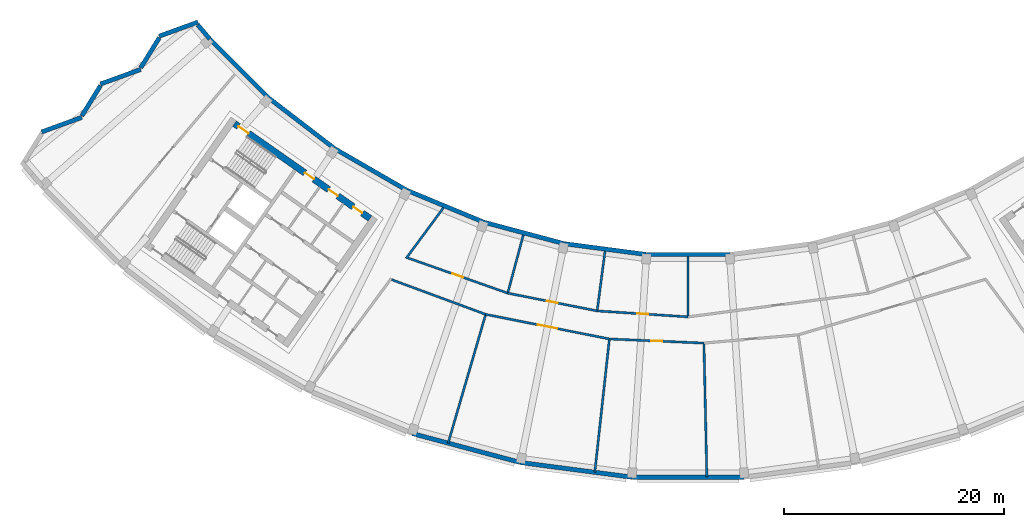
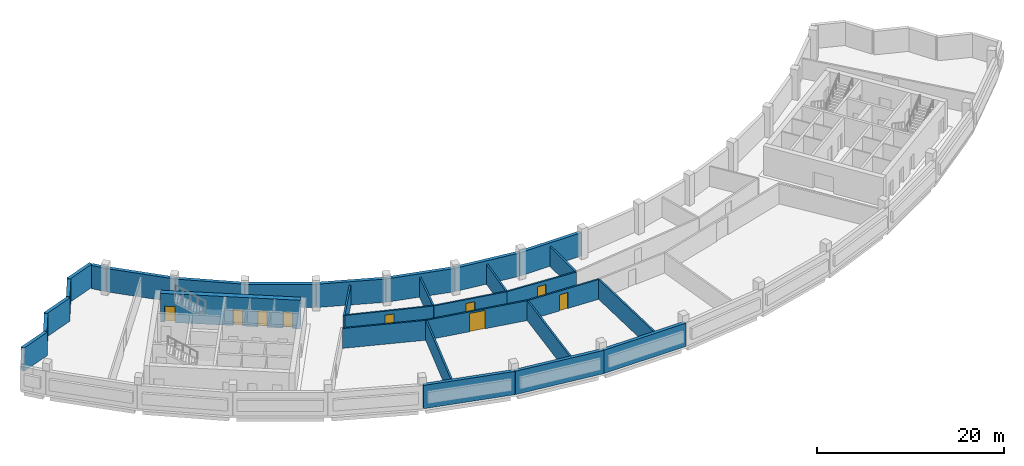
# One storey, part 4 of 11: 30 walls, 9 doors, 9 openings.
"""IFC4 building model written with IfcOpenShell, lengths in metres."""

from ifc_helpers import new_model, si_unit, direction, frame, frame_2d, origin, place, context, subcontext, project, spatial, rectangle, extrude, material, layer, layer_set, type_object, element, fill, save


model = new_model("IFC4")

# Units and contexts
model_context = context("Model", 3, precision=1e-05, world=origin(), true_north=direction((0.0, 1.0)))
body_context = subcontext(model_context, "Body", "Model", "MODEL_VIEW")
ifc_project = project(units=[si_unit("LENGTHUNIT", "METRE"), si_unit("AREAUNIT", "SQUARE_METRE"), si_unit("VOLUMEUNIT", "CUBIC_METRE"), si_unit("PLANEANGLEUNIT", "RADIAN"), si_unit("MASSUNIT", "GRAM", prefix="KILO")], contexts=[model_context])

# Site, building, storey
site_placement = place(None, origin())
site = spatial("IfcSite", under=ifc_project, at=site_placement, CompositionType="ELEMENT")
building_placement = place(site_placement, origin())
building = spatial("IfcBuilding", under=site, at=building_placement, Name="Qamariyya Broadcast Tower", CompositionType="ELEMENT")
storey_placement = place(building_placement, frame((0.0, 0.0, 294.699951171875)))
storey = spatial("IfcBuildingStorey", under=building, at=storey_placement, Name="L71", CompositionType="ELEMENT", Elevation=294.699951171875)

# Wall, openings, doors
ifc_material_1 = material(Name="Concrete C60/75", Category="concrete")
ifc_layer_1 = layer(ifc_material_1, 0.60009765625)
ifc_layer_set_1 = layer_set([ifc_layer_1], Name="Core wall 600 mm Concrete C60/75")
wall_type_1 = type_object("IfcWallType", Name="Core wall 600 mm Concrete C60/75", PredefinedType="SHEAR", material=ifc_layer_set_1)
wall_1_placement = place(storey_placement, frame((-28.940673828125, -54.447021484375, 0.0), z_axis=(0.0, 0.0, 1.0), x_axis=(-0.819153391756, 0.573574511963, 0.0)))
wall_1 = element("IfcWall", 1, at=wall_1_placement, inside=storey, type_object=wall_type_1, Name="k-W-L71-WI", PredefinedType="SHEAR", context=body_context, shape_type="SweptSolid", body=[
    extrude(rectangle(XDim=15.04541015625, YDim=0.60009765625, at=frame_2d((7.522705078125, 0.0))), origin(), (0.0, 0.0, 1.0), 3.75),
])
opening_1_placement = place(wall_1_placement, frame((0.85009765625, 0.0, 0.0)))
opening_1 = element("IfcOpeningElement", 2, at=opening_1_placement, cuts=wall_1, Name="Opening KD4-W7", PredefinedType="OPENING", context=body_context, shape_type="SweptSolid", body=[
    extrude(rectangle(XDim=1.0, YDim=2.10009765625, at=frame_2d((0.5, 1.050048828125))), frame((0.0, 0.31005859375, 0.0), z_axis=(0.0, -1.0, 0.0), x_axis=(1.0, 0.0, 0.0)), (0.0, 0.0, 1.0), 0.6201171875),
])
opening_2_placement = place(wall_1_placement, frame((3.574951171875, 0.0, 0.0)))
opening_2 = element("IfcOpeningElement", 3, at=opening_2_placement, cuts=wall_1, Name="Opening KD4-W8", PredefinedType="OPENING", context=body_context, shape_type="SweptSolid", body=[
    extrude(rectangle(XDim=1.0, YDim=2.10009765625, at=frame_2d((0.5, 1.050048828125))), frame((0.0, 0.31005859375, 0.0), z_axis=(0.0, -1.0, 0.0), x_axis=(1.0, 0.0, 0.0)), (0.0, 0.0, 1.0), 0.6201171875),
])
opening_3_placement = place(wall_1_placement, frame((6.22509765625, 0.0, 0.0)))
opening_3 = element("IfcOpeningElement", 4, at=opening_3_placement, cuts=wall_1, Name="Opening KD4-W9", PredefinedType="OPENING", context=body_context, shape_type="SweptSolid", body=[
    extrude(rectangle(XDim=1.0, YDim=2.10009765625, at=frame_2d((0.5, 1.050048828125))), frame((0.0, 0.31005859375, 0.0), z_axis=(0.0, -1.0, 0.0), x_axis=(1.0, 0.0, 0.0)), (0.0, 0.0, 1.0), 0.6201171875),
])
opening_4_placement = place(wall_1_placement, frame((13.495361328125, 0.0, 0.0)))
opening_4 = element("IfcOpeningElement", 5, at=opening_4_placement, cuts=wall_1, Name="Opening KD1-W1", PredefinedType="OPENING", context=body_context, shape_type="SweptSolid", body=[
    extrude(rectangle(XDim=1.10009765625, YDim=2.10009765625, at=frame_2d((0.550048828125, 1.050048828125))), frame((0.0, 0.31005859375, 0.0), z_axis=(0.0, -1.0, 0.0), x_axis=(1.0, 0.0, 0.0)), (0.0, 0.0, 1.0), 0.6201171875),
])
ifc_material_2 = material(Name="Steel fire-resisting door leaf", Category="steel")
door_type_1 = type_object("IfcDoorType", Name="Riser and plant door KD4", OperationType="SINGLE_SWING_LEFT", PredefinedType="DOOR", material=ifc_material_2)
door_1_placement = place(opening_1_placement, origin())
door_1 = element("IfcDoor", 6, at=door_1_placement, inside=storey, type_object=door_type_1, Name="k-W-L71-WI-D8", OperationType="SINGLE_SWING_LEFT", OverallHeight=2.10009765625, OverallWidth=1.0, PredefinedType="DOOR", context=body_context, shape_type="SweptSolid", body=[
    extrude(rectangle(XDim=1.0, YDim=2.10009765625, at=frame_2d((0.5, 1.050048828125))), frame((0.0, 0.02490234375, 0.0), z_axis=(0.0, -1.0, 0.0), x_axis=(1.0, 0.0, 0.0)), (0.0, 0.0, 1.0), 0.050048828125),
])
fill(opening_1, door_1)
door_2_placement = place(opening_2_placement, origin())
door_2 = element("IfcDoor", 7, at=door_2_placement, inside=storey, type_object=door_type_1, Name="k-W-L71-WI-D9", OperationType="SINGLE_SWING_RIGHT", OverallHeight=2.10009765625, OverallWidth=1.0, PredefinedType="DOOR", context=body_context, shape_type="SweptSolid", body=[
    extrude(rectangle(XDim=1.0, YDim=2.10009765625, at=frame_2d((0.5, 1.050048828125))), frame((0.0, 0.02490234375, 0.0), z_axis=(0.0, -1.0, 0.0), x_axis=(1.0, 0.0, 0.0)), (0.0, 0.0, 1.0), 0.050048828125),
])
fill(opening_2, door_2)
door_3_placement = place(opening_3_placement, origin())
door_3 = element("IfcDoor", 8, at=door_3_placement, inside=storey, type_object=door_type_1, Name="k-W-L71-WI-D10", OperationType="SINGLE_SWING_LEFT", OverallHeight=2.10009765625, OverallWidth=1.0, PredefinedType="DOOR", context=body_context, shape_type="SweptSolid", body=[
    extrude(rectangle(XDim=1.0, YDim=2.10009765625, at=frame_2d((0.5, 1.050048828125))), frame((0.0, 0.02490234375, 0.0), z_axis=(0.0, -1.0, 0.0), x_axis=(1.0, 0.0, 0.0)), (0.0, 0.0, 1.0), 0.050048828125),
])
fill(opening_3, door_3)
door_type_2 = type_object("IfcDoorType", Name="Stair door KD1", OperationType="SINGLE_SWING_LEFT", PredefinedType="DOOR", material=ifc_material_2)
door_4_placement = place(opening_4_placement, origin())
door_4 = element("IfcDoor", 9, at=door_4_placement, inside=storey, type_object=door_type_2, Name="k-W-L71-WI-D17", OperationType="SINGLE_SWING_RIGHT", OverallHeight=2.10009765625, OverallWidth=1.10009765625, PredefinedType="DOOR", context=body_context, shape_type="SweptSolid", body=[
    extrude(rectangle(XDim=1.10009765625, YDim=2.10009765625, at=frame_2d((0.550048828125, 1.050048828125))), frame((0.0, 0.02490234375, 0.0), z_axis=(0.0, -1.0, 0.0), x_axis=(1.0, 0.0, 0.0)), (0.0, 0.0, 1.0), 0.050048828125),
])
fill(opening_4, door_4)

# Wall
ifc_material_3 = material(Name="Masonry block wall", Category="masonry")
ifc_layer_2 = layer(ifc_material_3, 0.199951171875)
ifc_layer_set_2 = layer_set([ifc_layer_2], Name="Plant room wall 200 EI 120")
wall_type_2 = type_object("IfcWallType", Name="Plant room wall 200 EI 120", PredefinedType="PARTITIONING", material=ifc_layer_set_2)
wall_2_placement = place(storey_placement, frame((-26.963623046875, -60.01416015625, 0.0), z_axis=(0.0, 0.0, 1.0), x_axis=(0.938099554291, -0.346365740567, 0.0)))
element("IfcWall", 10, at=wall_2_placement, inside=storey, type_object=wall_type_2, Name="Partition L71-003", PredefinedType="PARTITIONING", context=body_context, shape_type="SweptSolid", body=[
    extrude(rectangle(XDim=9.11328125, YDim=0.199951171875, at=frame_2d((4.556640625, 0.0))), origin(), (0.0, 0.0, 1.0), 2.60009765625),
])

# Wall, opening, door
wall_3_placement = place(storey_placement, frame((-25.50390625, -58.035888671875, 0.0), z_axis=(0.0, 0.0, 1.0), x_axis=(0.943186956549, -0.332262494116, 0.0)))
wall_3 = element("IfcWall", 11, at=wall_3_placement, inside=storey, type_object=wall_type_2, Name="Partition L71-004", PredefinedType="PARTITIONING", context=body_context, shape_type="SweptSolid", body=[
    extrude(rectangle(XDim=9.642578125, YDim=0.199951171875, at=frame_2d((4.8212890625, 0.0))), origin(), (0.0, 0.0, 1.0), 2.60009765625),
])
opening_5_placement = place(wall_3_placement, frame((4.3212890625, 0.0, 0.0)))
opening_5 = element("IfcOpeningElement", 12, at=opening_5_placement, cuts=wall_3, Name="Opening L71-D06", PredefinedType="OPENING", context=body_context, shape_type="SweptSolid", body=[
    extrude(rectangle(XDim=1.0, YDim=2.10009765625, at=frame_2d((0.5, 1.050048828125))), frame((0.0, 0.10986328125, 0.0), z_axis=(0.0, -1.0, 0.0), x_axis=(1.0, 0.0, 0.0)), (0.0, 0.0, 1.0), 0.219970703125),
])
ifc_material_4 = material(Name="Insulated metal door leaf")
door_type_3 = type_object("IfcDoorType", Name="Plant door 1000 x 2100 FD120", OperationType="NOTDEFINED", PredefinedType="DOOR", material=ifc_material_4)
door_5_placement = place(opening_5_placement, origin())
door_5 = element("IfcDoor", 13, at=door_5_placement, inside=storey, type_object=door_type_3, Name="Door L71-D06", OperationType="SINGLE_SWING_RIGHT", OverallHeight=2.10009765625, OverallWidth=1.0, PredefinedType="DOOR", context=body_context, shape_type="SweptSolid", body=[
    extrude(rectangle(XDim=1.0, YDim=2.10009765625, at=frame_2d((0.5, 1.050048828125))), frame((0.0, 0.02490234375, 0.0), z_axis=(0.0, -1.0, 0.0), x_axis=(1.0, 0.0, 0.0)), (0.0, 0.0, 1.0), 0.050048828125),
])
fill(opening_5, door_5)

# Walls
wall_4_placement = place(storey_placement, frame((-22.251953125, -53.469482421875, 0.0), z_axis=(0.0, 0.0, 1.0), x_axis=(-0.593885763016, -0.804549377283, 0.0)))
element("IfcWall", 14, at=wall_4_placement, inside=storey, type_object=wall_type_2, Name="Partition L71-005", PredefinedType="PARTITIONING", context=body_context, shape_type="SweptSolid", body=[
    extrude(rectangle(XDim=5.734375, YDim=0.199951171875, at=frame_2d((2.8671875, 0.0))), origin(), (0.0, 0.0, 1.0), 2.60009765625),
])
wall_5_placement = place(storey_placement, frame((-21.8291015625, -74.884033203125, 0.0), z_axis=(0.0, 0.0, 1.0), x_axis=(0.279876038728, 0.960036146687, 0.0)))
element("IfcWall", 15, at=wall_5_placement, inside=storey, type_object=wall_type_2, Name="Partition L71-006", PredefinedType="PARTITIONING", context=body_context, shape_type="SweptSolid", body=[
    extrude(rectangle(XDim=12.100830078125, YDim=0.199951171875, at=frame_2d((6.05029296875, 0.0))), origin(), (0.0, 0.0, 1.0), 2.60009765625),
])

# Wall, opening, door
wall_6_placement = place(storey_placement, frame((-7.16162109375, -65.4091796875, 0.0), z_axis=(0.0, 0.0, 1.0), x_axis=(-0.980782303344, 0.195105288106, 0.0)))
wall_6 = element("IfcWall", 16, at=wall_6_placement, inside=storey, type_object=wall_type_2, Name="Partition L71-007", PredefinedType="PARTITIONING", context=body_context, shape_type="SweptSolid", body=[
    extrude(rectangle(XDim=11.473388671875, YDim=0.199951171875, at=frame_2d((5.73681640625, 0.0))), origin(), (0.0, 0.0, 1.0), 2.60009765625),
])
opening_6_placement = place(wall_6_placement, frame((4.836669921875, 0.0, 0.0)))
opening_6 = element("IfcOpeningElement", 17, at=opening_6_placement, cuts=wall_6, Name="Opening L71-D02", PredefinedType="OPENING", context=body_context, shape_type="SweptSolid", body=[
    extrude(rectangle(XDim=1.800048828125, YDim=2.39990234375, at=frame_2d((0.89990234375, 1.199951171875))), frame((0.0, 0.10986328125, 0.0), z_axis=(0.0, -1.0, 0.0), x_axis=(1.0, 0.0, 0.0)), (0.0, 0.0, 1.0), 0.219970703125),
])
door_type_4 = type_object("IfcDoorType", Name="Plant double door 1800 x 2400 FD120", OperationType="NOTDEFINED", PredefinedType="DOOR", material=ifc_material_4)
door_6_placement = place(opening_6_placement, origin())
door_6 = element("IfcDoor", 18, at=door_6_placement, inside=storey, type_object=door_type_4, Name="Door L71-D02", OperationType="DOUBLE_DOOR_SINGLE_SWING", OverallHeight=2.39990234375, OverallWidth=1.800048828125, PredefinedType="DOOR", context=body_context, shape_type="SweptSolid", body=[
    extrude(rectangle(XDim=1.800048828125, YDim=2.39990234375, at=frame_2d((0.89990234375, 1.199951171875))), frame((0.0, 0.02490234375, 0.0), z_axis=(0.0, -1.0, 0.0), x_axis=(1.0, 0.0, 0.0)), (0.0, 0.0, 1.0), 0.050048828125),
])
fill(opening_6, door_6)

wall_7_placement = place(storey_placement, frame((-16.4091796875, -61.23974609375, 0.0), z_axis=(0.0, 0.0, 1.0), x_axis=(0.98078508005, -0.195091329256, 0.0)))
wall_7 = element("IfcWall", 19, at=wall_7_placement, inside=storey, type_object=wall_type_2, Name="Partition L71-008", PredefinedType="PARTITIONING", context=body_context, shape_type="SweptSolid", body=[
    extrude(rectangle(XDim=8.293212890625, YDim=0.199951171875, at=frame_2d((4.146484375, 0.0))), origin(), (0.0, 0.0, 1.0), 2.60009765625),
])
opening_7_placement = place(wall_7_placement, frame((3.646484375, 0.0, 0.0)))
opening_7 = element("IfcOpeningElement", 20, at=opening_7_placement, cuts=wall_7, Name="Opening L71-D07", PredefinedType="OPENING", context=body_context, shape_type="SweptSolid", body=[
    extrude(rectangle(XDim=1.0, YDim=2.10009765625, at=frame_2d((0.5, 1.050048828125))), frame((0.0, 0.10986328125, 0.0), z_axis=(0.0, -1.0, 0.0), x_axis=(1.0, 0.0, 0.0)), (0.0, 0.0, 1.0), 0.219970703125),
])
door_7_placement = place(opening_7_placement, origin())
door_7 = element("IfcDoor", 21, at=door_7_placement, inside=storey, type_object=door_type_3, Name="Door L71-D07", OperationType="SINGLE_SWING_RIGHT", OverallHeight=2.10009765625, OverallWidth=1.0, PredefinedType="DOOR", context=body_context, shape_type="SweptSolid", body=[
    extrude(rectangle(XDim=1.0, YDim=2.10009765625, at=frame_2d((0.5, 1.050048828125))), frame((0.0, 0.02490234375, 0.0), z_axis=(0.0, -1.0, 0.0), x_axis=(1.0, 0.0, 0.0)), (0.0, 0.0, 1.0), 0.050048828125),
])
fill(opening_7, door_7)

# Walls
wall_8_placement = place(storey_placement, frame((-14.992431640625, -55.952880859375, 0.0), z_axis=(0.0, 0.0, 1.0), x_axis=(-0.258847367931, -0.965918236765, 0.0)))
element("IfcWall", 22, at=wall_8_placement, inside=storey, type_object=wall_type_2, Name="Partition L71-009", PredefinedType="PARTITIONING", context=body_context, shape_type="SweptSolid", body=[
    extrude(rectangle(XDim=5.373291015625, YDim=0.199951171875, at=frame_2d((2.6865234375, 0.0))), origin(), (0.0, 0.0, 1.0), 2.60009765625),
])
wall_9_placement = place(storey_placement, frame((-8.489501953125, -77.53759765625, 0.0), z_axis=(0.0, 0.0, 1.0), x_axis=(0.108825963582, 0.994060817883, 0.0)))
element("IfcWall", 23, at=wall_9_placement, inside=storey, type_object=wall_type_2, Name="Partition L71-010", PredefinedType="PARTITIONING", context=body_context, shape_type="SweptSolid", body=[
    extrude(rectangle(XDim=12.100830078125, YDim=0.199951171875, at=frame_2d((6.05029296875, 0.0))), origin(), (0.0, 0.0, 1.0), 2.60009765625),
])

# Wall, opening, door
wall_10_placement = place(storey_placement, frame((-8.275390625, -62.857666015625, 0.0), z_axis=(0.0, 0.0, 1.0), x_axis=(0.997860193426, -0.065383747038, 0.0)))
wall_10 = element("IfcWall", 24, at=wall_10_placement, inside=storey, type_object=wall_type_2, Name="Partition L71-011", PredefinedType="PARTITIONING", context=body_context, shape_type="SweptSolid", body=[
    extrude(rectangle(XDim=8.293212890625, YDim=0.199951171875, at=frame_2d((4.146484375, 0.0))), origin(), (0.0, 0.0, 1.0), 2.60009765625),
])
opening_8_placement = place(wall_10_placement, frame((3.646484375, 0.0, 0.0)))
opening_8 = element("IfcOpeningElement", 25, at=opening_8_placement, cuts=wall_10, Name="Opening L71-D08", PredefinedType="OPENING", context=body_context, shape_type="SweptSolid", body=[
    extrude(rectangle(XDim=1.0, YDim=2.10009765625, at=frame_2d((0.5, 1.050048828125))), frame((0.0, 0.10986328125, 0.0), z_axis=(0.0, -1.0, 0.0), x_axis=(1.0, 0.0, 0.0)), (0.0, 0.0, 1.0), 0.219970703125),
])
door_8_placement = place(opening_8_placement, origin())
door_8 = element("IfcDoor", 26, at=door_8_placement, inside=storey, type_object=door_type_3, Name="Door L71-D08", OperationType="SINGLE_SWING_RIGHT", OverallHeight=2.10009765625, OverallWidth=1.0, PredefinedType="DOOR", context=body_context, shape_type="SweptSolid", body=[
    extrude(rectangle(XDim=1.0, YDim=2.10009765625, at=frame_2d((0.5, 1.050048828125))), frame((0.0, 0.02490234375, 0.0), z_axis=(0.0, -1.0, 0.0), x_axis=(1.0, 0.0, 0.0)), (0.0, 0.0, 1.0), 0.050048828125),
])
fill(opening_8, door_8)

# Wall
wall_11_placement = place(storey_placement, frame((-7.56103515625, -57.430908203125, 0.0), z_axis=(0.0, 0.0, 1.0), x_axis=(-0.130485069567, -0.991450274406, 0.0)))
element("IfcWall", 27, at=wall_11_placement, inside=storey, type_object=wall_type_2, Name="Partition L71-012", PredefinedType="PARTITIONING", context=body_context, shape_type="SweptSolid", body=[
    extrude(rectangle(XDim=5.37353515625, YDim=0.199951171875, at=frame_2d((2.686767578125, 0.0))), origin(), (0.0, 0.0, 1.0), 2.60009765625),
])

# Wall, opening, door
wall_12_placement = place(storey_placement, frame((1.437255859375, -65.7841796875, 0.0), z_axis=(0.0, 0.0, 1.0), x_axis=(-0.999050423115, 0.043568934724, 0.0)))
wall_12 = element("IfcWall", 28, at=wall_12_placement, inside=storey, type_object=wall_type_2, Name="Partition L71-013", PredefinedType="PARTITIONING", context=body_context, shape_type="SweptSolid", body=[
    extrude(rectangle(XDim=8.60693359375, YDim=0.199951171875, at=frame_2d((4.303466796875, 0.0))), origin(), (0.0, 0.0, 1.0), 2.60009765625),
])
opening_9_placement = place(wall_12_placement, frame((3.803466796875, 0.0, 0.0)))
opening_9 = element("IfcOpeningElement", 29, at=opening_9_placement, cuts=wall_12, Name="Opening L71-D03", PredefinedType="OPENING", context=body_context, shape_type="SweptSolid", body=[
    extrude(rectangle(XDim=1.0, YDim=2.10009765625, at=frame_2d((0.5, 1.050048828125))), frame((0.0, 0.10986328125, 0.0), z_axis=(0.0, -1.0, 0.0), x_axis=(1.0, 0.0, 0.0)), (0.0, 0.0, 1.0), 0.219970703125),
])
door_9_placement = place(opening_9_placement, origin())
door_9 = element("IfcDoor", 30, at=door_9_placement, inside=storey, type_object=door_type_3, Name="Door L71-D03", OperationType="SINGLE_SWING_RIGHT", OverallHeight=2.10009765625, OverallWidth=1.0, PredefinedType="DOOR", context=body_context, shape_type="SweptSolid", body=[
    extrude(rectangle(XDim=1.0, YDim=2.10009765625, at=frame_2d((0.5, 1.050048828125))), frame((0.0, 0.02490234375, 0.0), z_axis=(0.0, -1.0, 0.0), x_axis=(1.0, 0.0, 0.0)), (0.0, 0.0, 1.0), 0.050048828125),
])
fill(opening_9, door_9)

# Walls
wall_13_placement = place(storey_placement, frame((0.0, -57.926513671875, 0.0), z_axis=(0.0, 0.0, 1.0), x_axis=(0.0, -1.0, 0.0)))
element("IfcWall", 31, at=wall_13_placement, inside=storey, type_object=wall_type_2, Name="Partition L71-015", PredefinedType="PARTITIONING", context=body_context, shape_type="SweptSolid", body=[
    extrude(rectangle(XDim=5.37353515625, YDim=0.199951171875, at=frame_2d((2.686767578125, 0.0))), origin(), (0.0, 0.0, 1.0), 2.60009765625),
])
wall_14_placement = place(storey_placement, frame((1.703857421875, -77.982177734375, 0.0), z_axis=(0.0, 0.0, 1.0), x_axis=(-0.021850169331, 0.999761256551, 0.0)))
element("IfcWall", 32, at=wall_14_placement, inside=storey, type_object=wall_type_2, Name="Partition L71-017", PredefinedType="PARTITIONING", context=body_context, shape_type="SweptSolid", body=[
    extrude(rectangle(XDim=12.100830078125, YDim=0.199951171875, at=frame_2d((6.05029296875, 0.0))), origin(), (0.0, 0.0, 1.0), 2.60009765625),
])
ifc_material_5 = material(Name="Terracotta", Category="masonry")
ifc_layer_3 = layer(ifc_material_5, 0.39990234375)
ifc_layer_set_3 = layer_set([ifc_layer_3], Name="Solid terracotta louvred band wall 400")
wall_type_3 = type_object("IfcWallType", Name="Solid terracotta louvred band wall 400", PredefinedType="SOLIDWALL", material=ifc_layer_set_3)
wall_15_placement = place(storey_placement, frame((-44.58642578125, -36.581787109375, 0.0), z_axis=(0.0, 0.0, 1.0), x_axis=(-0.940130056589, -0.340815898541, 0.0)))
element("IfcWall", 33, at=wall_15_placement, inside=storey, type_object=wall_type_3, Name="e-wl-L71-capW0", PredefinedType="SOLIDWALL", context=body_context, shape_type="SweptSolid", body=[
    extrude(rectangle(XDim=3.742919921875, YDim=0.39990234375, at=frame_2d((1.87158203125, 0.0))), origin(), (0.0, 0.0, 1.0), 3.050048828125),
])
wall_16_placement = place(storey_placement, frame((-48.104248046875, -38.00341796875, 0.0), z_axis=(0.0, 0.0, 1.0), x_axis=(-0.525678481137, -0.850683333838, 0.0)))
element("IfcWall", 34, at=wall_16_placement, inside=storey, type_object=wall_type_3, Name="e-wl-L71-capW1", PredefinedType="SOLIDWALL", context=body_context, shape_type="SweptSolid", body=[
    extrude(rectangle(XDim=3.220458984375, YDim=0.39990234375, at=frame_2d((1.6103515625, 0.0))), origin(), (0.0, 0.0, 1.0), 3.050048828125),
])
wall_17_placement = place(storey_placement, frame((-49.79638671875, -40.888916015625, 0.0), z_axis=(0.0, 0.0, 1.0), x_axis=(-0.940086069154, -0.340937212083, 0.0)))
element("IfcWall", 35, at=wall_17_placement, inside=storey, type_object=wall_type_3, Name="e-wl-L71-capW2", PredefinedType="SOLIDWALL", context=body_context, shape_type="SweptSolid", body=[
    extrude(rectangle(XDim=3.892578125, YDim=0.39990234375, at=frame_2d((1.9462890625, 0.0))), origin(), (0.0, 0.0, 1.0), 3.050048828125),
])
wall_18_placement = place(storey_placement, frame((-53.454833984375, -42.362060546875, 0.0), z_axis=(0.0, 0.0, 1.0), x_axis=(-0.525649491409, -0.850701247314, 0.0)))
element("IfcWall", 36, at=wall_18_placement, inside=storey, type_object=wall_type_3, Name="e-wl-L71-capW3", PredefinedType="SOLIDWALL", context=body_context, shape_type="SweptSolid", body=[
    extrude(rectangle(XDim=3.21923828125, YDim=0.39990234375, at=frame_2d((1.609619140625, 0.0))), origin(), (0.0, 0.0, 1.0), 3.050048828125),
])
wall_19_placement = place(storey_placement, frame((-55.14599609375, -45.24658203125, 0.0), z_axis=(0.0, 0.0, 1.0), x_axis=(-0.940075029039, -0.340967652099, 0.0)))
element("IfcWall", 37, at=wall_19_placement, inside=storey, type_object=wall_type_3, Name="e-wl-L71-capW4", PredefinedType="SOLIDWALL", context=body_context, shape_type="SweptSolid", body=[
    extrude(rectangle(XDim=3.893798828125, YDim=0.39990234375, at=frame_2d((1.94677734375, 0.0))), origin(), (0.0, 0.0, 1.0), 3.050048828125),
])
wall_20_placement = place(storey_placement, frame((-43.51123046875, -38.122802734375, 0.0), z_axis=(0.0, 0.0, 1.0), x_axis=(-0.645545650865, 0.763721685334, 0.0)))
element("IfcWall", 38, at=wall_20_placement, inside=storey, type_object=wall_type_3, Name="e-wl-L71-in00", PredefinedType="SOLIDWALL", context=body_context, shape_type="SweptSolid", body=[
    extrude(rectangle(XDim=1.68359375, YDim=0.39990234375, at=frame_2d((0.841796875, 0.0))), origin(), (0.0, 0.0, 1.0), 3.050048828125),
])
wall_21_placement = place(storey_placement, frame((-38.125732421875, -43.511962890625, 0.0), z_axis=(0.0, 0.0, 1.0), x_axis=(-0.707106781187, 0.707106781187, 0.0)))
element("IfcWall", 39, at=wall_21_placement, inside=storey, type_object=wall_type_3, Name="e-wl-L71-in10", PredefinedType="SOLIDWALL", context=body_context, shape_type="SweptSolid", body=[
    extrude(rectangle(XDim=7.6025390625, YDim=0.39990234375, at=frame_2d((3.80126953125, 0.0))), origin(), (0.0, 0.0, 1.0), 3.050048828125),
])
wall_22_placement = place(storey_placement, frame((-32.18017578125, -48.070068359375, 0.0), z_axis=(0.0, 0.0, 1.0), x_axis=(-0.793355236357, 0.608758957999, 0.0)))
element("IfcWall", 40, at=wall_22_placement, inside=storey, type_object=wall_type_3, Name="e-wl-L71-in20", PredefinedType="SOLIDWALL", context=body_context, shape_type="SweptSolid", body=[
    extrude(rectangle(XDim=7.4658203125, YDim=0.39990234375, at=frame_2d((3.73291015625, 0.0))), origin(), (0.0, 0.0, 1.0), 3.050048828125),
])
wall_23_placement = place(storey_placement, frame((-25.56494140625, -51.89697265625, 0.0), z_axis=(0.0, 0.0, 1.0), x_axis=(-0.866025463095, 0.499999897272, 0.0)))
element("IfcWall", 41, at=wall_23_placement, inside=storey, type_object=wall_type_3, Name="e-wl-L71-in30", PredefinedType="SOLIDWALL", context=body_context, shape_type="SweptSolid", body=[
    extrude(rectangle(XDim=7.6171875, YDim=0.39990234375, at=frame_2d((3.80859375, 0.0))), origin(), (0.0, 0.0, 1.0), 3.050048828125),
])
wall_24_placement = place(storey_placement, frame((-18.642333984375, -54.760986328125, 0.0), z_axis=(0.0, 0.0, 1.0), x_axis=(-0.923872151004, 0.382701252414, 0.0)))
element("IfcWall", 42, at=wall_24_placement, inside=storey, type_object=wall_type_3, Name="e-wl-L71-in40", PredefinedType="SOLIDWALL", context=body_context, shape_type="SweptSolid", body=[
    extrude(rectangle(XDim=7.4658203125, YDim=0.39990234375, at=frame_2d((3.73291015625, 0.0))), origin(), (0.0, 0.0, 1.0), 3.050048828125),
])
wall_25_placement = place(storey_placement, frame((-11.261962890625, -56.745361328125, 0.0), z_axis=(0.0, 0.0, 1.0), x_axis=(-0.965927307138, 0.258813518437, 0.0)))
element("IfcWall", 43, at=wall_25_placement, inside=storey, type_object=wall_type_3, Name="e-wl-L71-in50", PredefinedType="SOLIDWALL", context=body_context, shape_type="SweptSolid", body=[
    extrude(rectangle(XDim=7.6171875, YDim=0.39990234375, at=frame_2d((3.80859375, 0.0))), origin(), (0.0, 0.0, 1.0), 3.050048828125),
])
wall_26_placement = place(storey_placement, frame((-3.833984375, -57.719970703125, 0.0), z_axis=(0.0, 0.0, 1.0), x_axis=(-0.991442493144, 0.130544179452, 0.0)))
element("IfcWall", 44, at=wall_26_placement, inside=storey, type_object=wall_type_3, Name="e-wl-L71-in60", PredefinedType="SOLIDWALL", context=body_context, shape_type="SweptSolid", body=[
    extrude(rectangle(XDim=7.4658203125, YDim=0.39990234375, at=frame_2d((3.73291015625, 0.0))), origin(), (0.0, 0.0, 1.0), 3.050048828125),
])
wall_27_placement = place(storey_placement, frame((3.80859375, -57.7265625, 0.0), z_axis=(0.0, 0.0, 1.0), x_axis=(-1.0, 0.0, 0.0)))
element("IfcWall", 45, at=wall_27_placement, inside=storey, type_object=wall_type_3, Name="e-wl-L71-in70", PredefinedType="SOLIDWALL", context=body_context, shape_type="SweptSolid", body=[
    extrude(rectangle(XDim=7.6171875, YDim=0.39990234375, at=frame_2d((3.80859375, 0.0))), origin(), (0.0, 0.0, 1.0), 3.050048828125),
])
wall_28_placement = place(storey_placement, frame((-25.0712890625, -74.015380859375, 0.0), z_axis=(0.0, 0.0, 1.0), x_axis=(0.965928778267, -0.258808027921, 0.0)))
element("IfcWall", 46, at=wall_28_placement, inside=storey, type_object=wall_type_3, Name="e-wl-L71-out50", PredefinedType="SOLIDWALL", context=body_context, shape_type="SweptSolid", body=[
    extrude(rectangle(XDim=10.120849609375, YDim=0.39990234375, at=frame_2d((5.060546875, 0.0))), origin(), (0.0, 0.0, 1.0), 3.050048828125),
])
wall_29_placement = place(storey_placement, frame((-15.27099609375, -76.644775390625, 0.0), z_axis=(0.0, 0.0, 1.0), x_axis=(0.991444909321, -0.130525828027, 0.0)))
element("IfcWall", 47, at=wall_29_placement, inside=storey, type_object=wall_type_3, Name="e-wl-L71-out60", PredefinedType="SOLIDWALL", context=body_context, shape_type="SweptSolid", body=[
    extrude(rectangle(XDim=10.2724609375, YDim=0.39990234375, at=frame_2d((5.13623046875, 0.0))), origin(), (0.0, 0.0, 1.0), 3.050048828125),
])
wall_30_placement = place(storey_placement, frame((-5.060546875, -77.982177734375, 0.0), z_axis=(0.0, 0.0, 1.0), x_axis=(1.0, 0.0, 0.0)))
element("IfcWall", 48, at=wall_30_placement, inside=storey, type_object=wall_type_3, Name="e-wl-L71-out70", PredefinedType="SOLIDWALL", context=body_context, shape_type="SweptSolid", body=[
    extrude(rectangle(XDim=10.12109375, YDim=0.39990234375, at=frame_2d((5.060546875, 0.0))), origin(), (0.0, 0.0, 1.0), 3.050048828125),
])

save(model, "model.ifc")
